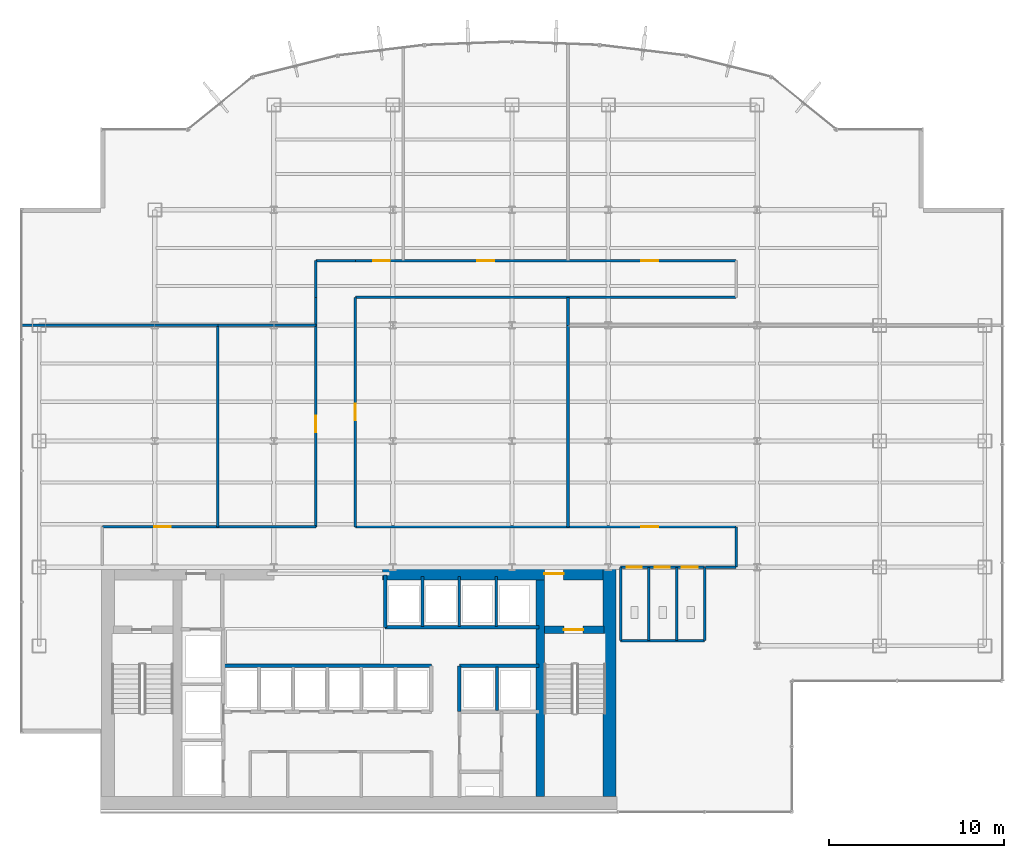
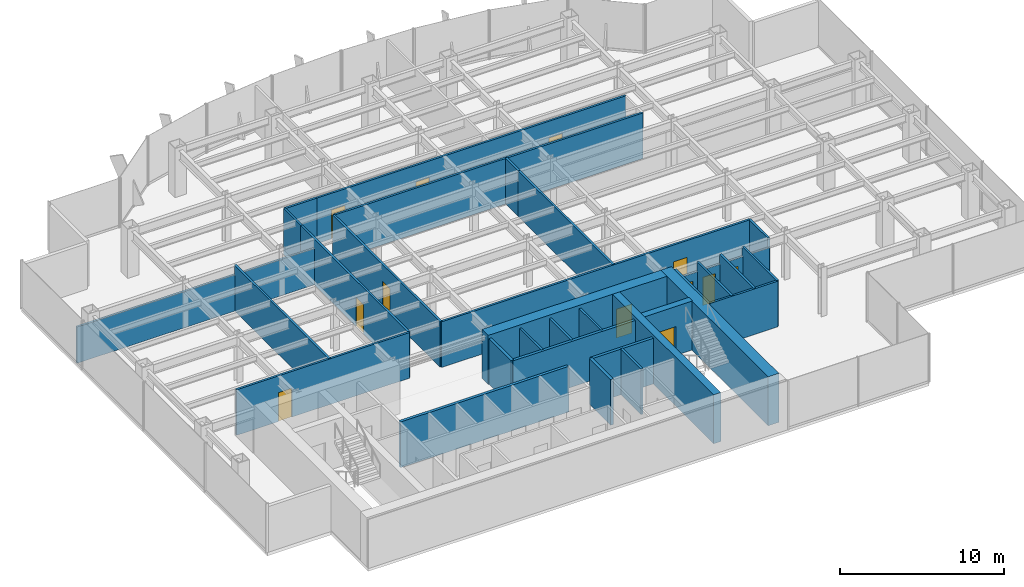
# One storey, part 22 of 26: 34 walls, 12 doors, 12 openings.
"""IFC4 building model written with IfcOpenShell, lengths in metres."""

from ifc_helpers import new_model, si_unit, derived_unit, direction, frame, frame_2d, origin, place, context, subcontext, project, spatial, rectangle, extrude, source, transform, mapped, material, layer, layer_set, type_object, element, fill, save


model = new_model("IFC4")

# Units and contexts
model_context = context("Model", 3, precision=1e-05, world=origin(), true_north=direction((0.0, 1.0)))
body_context = subcontext(model_context, "Body", "Model", "MODEL_VIEW")
ifc_project = project(units=[si_unit("LENGTHUNIT", "METRE"), si_unit("AREAUNIT", "SQUARE_METRE"), si_unit("VOLUMEUNIT", "CUBIC_METRE"), si_unit("PLANEANGLEUNIT", "RADIAN"), si_unit("MASSUNIT", "GRAM", prefix="KILO"), derived_unit("THERMALTRANSMITTANCEUNIT", [(si_unit("POWERUNIT", "WATT"), 1), (si_unit("LENGTHUNIT", "METRE"), -2), (si_unit("THERMODYNAMICTEMPERATUREUNIT", "KELVIN"), -1)])], contexts=[model_context])

# Site, building, storey
site_placement = place(None, origin())
site = spatial("IfcSite", under=ifc_project, at=site_placement, CompositionType="ELEMENT")
building_placement = place(site_placement, origin())
building = spatial("IfcBuilding", under=site, at=building_placement, Name="Skarnbrae Concourse Arena and Tower", CompositionType="ELEMENT")
storey_placement = place(building_placement, frame((0.0, 0.0, 128.800048828125)))
storey = spatial("IfcBuildingStorey", under=building, at=storey_placement, Name="L32", CompositionType="ELEMENT", Elevation=128.800048828125)

# Wall, opening, door
ifc_material_1 = material(Name="Concrete 50 MPa (C50/60)", Category="concrete")
ifc_layer_1 = layer(ifc_material_1, 0.449951171875)
ifc_layer_set_1 = layer_set([ifc_layer_1], Name="Concrete 50 MPa (C50/60)")
wall_type_1 = type_object("IfcWallType", Name="WALL-CORE-450-C50", PredefinedType="SHEAR", material=ifc_layer_set_1)
shared_shape_1 = source(origin(), body_context, "Body", "SweptSolid", [
    extrude(rectangle(XDim=3.389892578125, YDim=0.449951171875, at=frame_2d((1.69482421875, 0.0))), origin(), (0.0, 0.0, 1.0), 3.64990234375),
])
wall_1_placement = place(storey_placement, frame((29.860107421875, 10.419921875, 0.0), z_axis=(0.0, 0.0, 1.0), x_axis=(1.0, 0.0, 0.0)))
wall_1 = element("IfcWall", 1, at=wall_1_placement, inside=storey, type_object=wall_type_1, Name="L32 Rear core shear wall CW-ST2-N", PredefinedType="SHEAR", context=body_context, shape_type="MappedRepresentation", body=[
    mapped(shared_shape_1, transform((0.0, 0.0, 0.0))),
])
opening_1_placement = place(wall_1_placement, frame((1.10009765625, 0.0, 0.0)))
opening_1 = element("IfcOpeningElement", 2, at=opening_1_placement, cuts=wall_1, Name="Opening DT-03", PredefinedType="OPENING", context=body_context, shape_type="SweptSolid", body=[
    extrude(rectangle(XDim=1.10009765625, YDim=2.14990234375, at=frame_2d((0.550048828125, 1.074951171875))), frame((0.0, 0.23486328125, 0.0), z_axis=(0.0, -1.0, 0.0), x_axis=(1.0, 0.0, 0.0)), (0.0, 0.0, 1.0), 0.469970703125),
])
ifc_material_2 = material(Name="Steel CSA G40.21 350W", Category="steel")
door_type_1 = type_object("IfcDoorType", Name="DOOR-FIRE-1100-90M", OperationType="NOTDEFINED", PredefinedType="DOOR", material=ifc_material_2)
shared_shape_2 = source(origin(), body_context, "Body", "SweptSolid", [
    extrude(rectangle(XDim=1.10009765625, YDim=2.14990234375, at=frame_2d((0.550048828125, 1.074951171875))), frame((0.0, 0.02490234375, 0.0), z_axis=(0.0, -1.0, 0.0), x_axis=(1.0, 0.0, 0.0)), (0.0, 0.0, 1.0), 0.050048828125),
])
door_1_placement = place(opening_1_placement, frame((1.10009765625, 0.0, 0.0), z_axis=(0.0, 0.0, 1.0), x_axis=(-1.0, 0.0, 0.0)))
door_1 = element("IfcDoor", 3, at=door_1_placement, inside=storey, type_object=door_type_1, Name="D-1029 Stair ST-2 Door", OperationType="SINGLE_SWING_RIGHT", OverallHeight=2.14990234375, OverallWidth=1.10009765625, PredefinedType="DOOR", context=body_context, shape_type="MappedRepresentation", body=[
    mapped(shared_shape_2, transform((0.0, 0.0, 0.0))),
])
fill(opening_1, door_1)

# Wall
ifc_material_3 = material(Name="Concrete 60 MPa (C60/75)", Category="concrete")
ifc_layer_2 = layer(ifc_material_3, 0.75)
ifc_layer_set_2 = layer_set([ifc_layer_2], Name="Concrete 60 MPa (C60/75)")
wall_type_2 = type_object("IfcWallType", Name="WALL-CORE-750-C60", PredefinedType="SHEAR", material=ifc_layer_set_2)
shared_shape_3 = source(origin(), body_context, "Body", "SweptSolid", [
    extrude(rectangle(XDim=13.10009765625, YDim=0.75, at=frame_2d((6.550048828125, 0.0))), origin(), (0.0, 0.0, 1.0), 3.64990234375),
])
wall_2_placement = place(storey_placement, frame((33.574951171875, 0.89990234375, 0.0), z_axis=(0.0, 0.0, 1.0), x_axis=(0.0, 1.0, 0.0)))
element("IfcWall", 4, at=wall_2_placement, inside=storey, type_object=wall_type_2, Name="L32 Rear core shear wall CW-E", PredefinedType="SHEAR", context=body_context, shape_type="MappedRepresentation", body=[
    mapped(shared_shape_3, transform((0.0, 0.0, 0.0))),
])

# Wall, opening, door
shared_shape_4 = source(origin(), body_context, "Body", "SweptSolid", [
    extrude(rectangle(XDim=12.599853515625, YDim=0.75, at=frame_2d((6.2998046875, 0.0))), origin(), (0.0, 0.0, 1.0), 3.64990234375),
])
wall_3_placement = place(storey_placement, frame((20.60009765625, 13.625, 0.0), z_axis=(0.0, 0.0, 1.0), x_axis=(1.0, 0.0, 0.0)))
wall_3 = element("IfcWall", 5, at=wall_3_placement, inside=storey, type_object=wall_type_2, Name="L32 Rear core shear wall CW-NE", PredefinedType="SHEAR", context=body_context, shape_type="MappedRepresentation", body=[
    mapped(shared_shape_4, transform((0.0, 0.0, 0.0))),
])
opening_2_placement = place(wall_3_placement, frame((9.25, 0.0, 0.0)))
opening_2 = element("IfcOpeningElement", 6, at=opening_2_placement, cuts=wall_3, Name="Opening DT-03", PredefinedType="OPENING", context=body_context, shape_type="SweptSolid", body=[
    extrude(rectangle(XDim=1.10009765625, YDim=2.14990234375, at=frame_2d((0.550048828125, 1.074951171875))), frame((0.0, 0.385009765625, 0.0), z_axis=(0.0, -1.0, 0.0), x_axis=(1.0, 0.0, 0.0)), (0.0, 0.0, 1.0), 0.77001953125),
])
door_2_placement = place(opening_2_placement, origin())
door_2 = element("IfcDoor", 7, at=door_2_placement, inside=storey, type_object=door_type_1, Name="D-1031 Stair ST-2 Vestibule Door", OperationType="SINGLE_SWING_LEFT", OverallHeight=2.14990234375, OverallWidth=1.10009765625, PredefinedType="DOOR", context=body_context, shape_type="MappedRepresentation", body=[
    mapped(shared_shape_2, transform((0.0, 0.0, 0.0))),
])
fill(opening_2, door_2)

# Walls
ifc_layer_3 = layer(ifc_material_3, 0.5)
ifc_layer_set_3 = layer_set([ifc_layer_3], Name="Concrete 60 MPa (C60/75)")
wall_type_3 = type_object("IfcWallType", Name="WALL-CORE-500-C60", PredefinedType="SHEAR", material=ifc_layer_set_3)
shared_shape_5 = source(origin(), body_context, "Body", "SweptSolid", [
    extrude(rectangle(XDim=12.35009765625, YDim=0.5, at=frame_2d((6.175048828125, 0.0))), origin(), (0.0, 0.0, 1.0), 3.64990234375),
])
wall_4_placement = place(storey_placement, frame((29.610107421875, 0.89990234375, 0.0), z_axis=(0.0, 0.0, 1.0), x_axis=(0.0, 1.0, 0.0)))
element("IfcWall", 8, at=wall_4_placement, inside=storey, type_object=wall_type_3, Name="L32 Rear core shear wall CW-WEB-E", PredefinedType="SHEAR", context=body_context, shape_type="MappedRepresentation", body=[
    mapped(shared_shape_5, transform((0.0, 0.0, 0.0))),
])
ifc_material_4 = material(Name="Gypsum board on cold-formed steel studs", Category="steel")
ifc_layer_4 = layer(ifc_material_4, 0.199951171875)
ifc_layer_set_4 = layer_set([ifc_layer_4], Name="Gypsum board on cold-formed steel studs")
wall_type_4 = type_object("IfcWallType", Name="WALL-PART-200-2HR", PredefinedType="PARTITIONING", material=ifc_layer_set_4)
shared_shape_6 = source(origin(), body_context, "Body", "SweptSolid", [
    extrude(rectangle(XDim=11.849853515625, YDim=0.199951171875, at=frame_2d((5.9248046875, 0.0))), origin(), (0.0, 0.0, 1.0), 3.39990234375),
])
wall_5_placement = place(storey_placement, frame((11.550048828125, 8.35009765625, 0.0), z_axis=(0.0, 0.0, 1.0), x_axis=(1.0, 0.0, 0.0)))
element("IfcWall", 9, at=wall_5_placement, inside=storey, type_object=wall_type_4, Name="L32 Interior partition wall W-L32-B2-N", PredefinedType="PARTITIONING", context=body_context, shape_type="MappedRepresentation", body=[
    mapped(shared_shape_6, transform((0.0, 0.0, 0.0))),
])
shared_shape_7 = source(origin(), body_context, "Body", "SweptSolid", [
    extrude(rectangle(XDim=2.60009765625, YDim=0.199951171875, at=frame_2d((1.300048828125, 0.0))), origin(), (0.0, 0.0, 1.0), 3.39990234375),
])
wall_6_placement = place(storey_placement, frame((25.0, 5.75, 0.0), z_axis=(0.0, 0.0, 1.0), x_axis=(0.0, 1.0, 0.0)))
element("IfcWall", 10, at=wall_6_placement, inside=storey, type_object=wall_type_4, Name="L32 Interior partition wall W-L32-B3S-W", PredefinedType="PARTITIONING", context=body_context, shape_type="MappedRepresentation", body=[
    mapped(shared_shape_7, transform((0.0, 0.0, 0.0))),
])
ifc_layer_5 = layer(ifc_material_4, 0.14990234375)
ifc_layer_set_5 = layer_set([ifc_layer_5], Name="Gypsum board on cold-formed steel studs")
wall_type_5 = type_object("IfcWallType", Name="WALL-PART-150", PredefinedType="PARTITIONING", material=ifc_layer_set_5)
shared_shape_8 = source(origin(), body_context, "Body", "SweptSolid", [
    extrude(rectangle(XDim=2.5, YDim=0.14990234375, at=frame_2d((1.25, 0.0))), origin(), (0.0, 0.0, 1.0), 3.39990234375),
])
wall_7_placement = place(storey_placement, frame((27.139892578125, 5.800048828125, 0.0), z_axis=(0.0, 0.0, 1.0), x_axis=(0.0, 1.0, 0.0)))
element("IfcWall", 11, at=wall_7_placement, inside=storey, type_object=wall_type_5, Name="L32 Interior partition wall W-L32-B3S-P1", PredefinedType="PARTITIONING", context=body_context, shape_type="MappedRepresentation", body=[
    mapped(shared_shape_8, transform((0.0, 0.0, 0.0))),
])
shared_shape_9 = source(origin(), body_context, "Body", "SweptSolid", [
    extrude(rectangle(XDim=8.800048828125, YDim=0.199951171875, at=frame_2d((4.39990234375, 0.0))), origin(), (0.0, 0.0, 1.0), 3.39990234375),
])
wall_8_placement = place(storey_placement, frame((20.75, 10.550048828125, 0.0), z_axis=(0.0, 0.0, 1.0), x_axis=(1.0, 0.0, 0.0)))
element("IfcWall", 12, at=wall_8_placement, inside=storey, type_object=wall_type_4, Name="L32 Interior partition wall W-L32-B3N-S", PredefinedType="PARTITIONING", context=body_context, shape_type="MappedRepresentation", body=[
    mapped(shared_shape_9, transform((0.0, 0.0, 0.0))),
])
shared_shape_10 = source(origin(), body_context, "Body", "SweptSolid", [
    extrude(rectangle(XDim=3.0, YDim=0.199951171875, at=frame_2d((1.5, 0.0))), origin(), (0.0, 0.0, 1.0), 3.39990234375),
])
wall_9_placement = place(storey_placement, frame((20.75, 10.550048828125, 0.0), z_axis=(0.0, 0.0, 1.0), x_axis=(0.0, 1.0, 0.0)))
element("IfcWall", 13, at=wall_9_placement, inside=storey, type_object=wall_type_4, Name="L32 Interior partition wall W-L32-B3N-W", PredefinedType="PARTITIONING", context=body_context, shape_type="MappedRepresentation", body=[
    mapped(shared_shape_10, transform((0.0, 0.0, 0.0))),
])
shared_shape_11 = source(origin(), body_context, "Body", "SweptSolid", [
    extrude(rectangle(XDim=2.849853515625, YDim=0.14990234375, at=frame_2d((1.4248046875, 0.0))), origin(), (0.0, 0.0, 1.0), 3.39990234375),
])
for number, where, z_axis, x_axis, name in (
    (14, (22.889892578125, 10.60009765625, 0.0), (0.0, 0.0, 1.0), (0.0, 1.0, 0.0), "L32 Interior partition wall W-L32-B3N-P1"),
    (15, (24.989990234375, 10.60009765625, 0.0), (0.0, 0.0, 1.0), (0.0, 1.0, 0.0), "L32 Interior partition wall W-L32-B3N-P2"),
    (16, (27.090087890625, 10.60009765625, 0.0), (0.0, 0.0, 1.0), (0.0, 1.0, 0.0), "L32 Interior partition wall W-L32-B3N-P3"),
):
    element("IfcWall", number, at=place(storey_placement, frame(where, z_axis=z_axis, x_axis=x_axis)), inside=storey, type_object=wall_type_5, Name=name, PredefinedType="PARTITIONING", context=body_context, shape_type="MappedRepresentation", body=[
        mapped(shared_shape_11, transform((0.0, 0.0, 0.0))),
    ])
shared_shape_12 = source(origin(), body_context, "Body", "SweptSolid", [
    extrude(rectangle(XDim=4.550048828125, YDim=0.199951171875, at=frame_2d((2.27490234375, 0.0))), origin(), (0.0, 0.0, 1.0), 3.39990234375),
])
wall_10_placement = place(storey_placement, frame((25.0, 8.35009765625, 0.0), z_axis=(0.0, 0.0, 1.0), x_axis=(1.0, 0.0, 0.0)))
element("IfcWall", 17, at=wall_10_placement, inside=storey, type_object=wall_type_4, Name="L32 Interior partition wall W-L32-B3S-N", PredefinedType="PARTITIONING", context=body_context, shape_type="MappedRepresentation", body=[
    mapped(shared_shape_12, transform((0.0, 0.0, 0.0))),
])
shared_shape_13 = source(origin(), body_context, "Body", "SweptSolid", [
    extrude(rectangle(XDim=4.800048828125, YDim=0.14990234375, at=frame_2d((2.39990234375, 0.0))), origin(), (0.0, 0.0, 1.0), 3.39990234375),
])
wall_11_placement = place(storey_placement, frame((34.199951171875, 9.800048828125, 0.0), z_axis=(0.0, 0.0, 1.0), x_axis=(1.0, 0.0, 0.0)))
element("IfcWall", 18, at=wall_11_placement, inside=storey, type_object=wall_type_5, Name="L32 Interior partition wall W-L32-WC-S", PredefinedType="PARTITIONING", context=body_context, shape_type="MappedRepresentation", body=[
    mapped(shared_shape_13, transform((0.0, 0.0, 0.0))),
])
shared_shape_14 = source(origin(), body_context, "Body", "SweptSolid", [
    extrude(rectangle(XDim=4.179931640625, YDim=0.14990234375, at=frame_2d((2.08984375, 0.0))), origin(), (0.0, 0.0, 1.0), 3.39990234375),
])
for number, where, z_axis, x_axis, name in (
    (19, (39.0, 9.800048828125, 0.0), (0.0, 0.0, 1.0), (0.0, 1.0, 0.0), "L32 Interior partition wall W-L32-WC-E"),
    (20, (34.199951171875, 9.800048828125, 0.0), (0.0, 0.0, 1.0), (0.0, 1.0, 0.0), "L32 Interior partition wall W-L32-WC-W"),
    (21, (35.800048828125, 9.800048828125, 0.0), (0.0, 0.0, 1.0), (0.0, 1.0, 0.0), "L32 Interior partition wall W-L32-WC-D1"),
    (22, (37.39990234375, 9.800048828125, 0.0), (0.0, 0.0, 1.0), (0.0, 1.0, 0.0), "L32 Interior partition wall W-L32-WC-D2"),
):
    element("IfcWall", number, at=place(storey_placement, frame(where, z_axis=z_axis, x_axis=x_axis)), inside=storey, type_object=wall_type_5, Name=name, PredefinedType="PARTITIONING", context=body_context, shape_type="MappedRepresentation", body=[
        mapped(shared_shape_14, transform((0.0, 0.0, 0.0))),
    ])
ifc_layer_6 = layer(ifc_material_4, 0.14990234375)
ifc_layer_set_6 = layer_set([ifc_layer_6], Name="Gypsum board on cold-formed steel studs")
wall_type_6 = type_object("IfcWallType", Name="WALL-PART-150-1HR", PredefinedType="PARTITIONING", material=ifc_layer_set_6)
shared_shape_15 = source(origin(), body_context, "Body", "SweptSolid", [
    extrude(rectangle(XDim=2.25, YDim=0.14990234375, at=frame_2d((1.125, 0.0))), origin(), (0.0, 0.0, 1.0), 3.39990234375),
])
wall_12_placement = place(storey_placement, frame((16.800048828125, 31.5, 0.0), z_axis=(0.0, 0.0, 1.0), x_axis=(1.0, 0.0, 0.0)))
element("IfcWall", 23, at=wall_12_placement, inside=storey, type_object=wall_type_6, Name="L32 Interior partition wall W-L32-COR-05", PredefinedType="PARTITIONING", context=body_context, shape_type="MappedRepresentation", body=[
    mapped(shared_shape_15, transform((0.0, 0.0, 0.0))),
])

# Wall, openings, doors
shared_shape_16 = source(origin(), body_context, "Body", "SweptSolid", [
    extrude(rectangle(XDim=4.800048828125, YDim=0.14990234375, at=frame_2d((2.39990234375, 0.0))), origin(), (0.0, 0.0, 1.0), 2.701904296875),
])
wall_13_placement = place(storey_placement, frame((34.199951171875, 13.97998046875, 0.0), z_axis=(0.0, 0.0, 1.0), x_axis=(1.0, 0.0, 0.0)))
wall_13 = element("IfcWall", 24, at=wall_13_placement, inside=storey, type_object=wall_type_5, Name="L32 Interior partition wall W-L32-WC-N", PredefinedType="PARTITIONING", context=body_context, shape_type="MappedRepresentation", body=[
    mapped(shared_shape_16, transform((0.0, 0.0, 0.0))),
])
opening_3_placement = place(wall_13_placement, frame((0.35009765625, 0.0, 0.0)))
opening_3 = element("IfcOpeningElement", 25, at=opening_3_placement, cuts=wall_13, Name="Opening DT-06", PredefinedType="OPENING", context=body_context, shape_type="SweptSolid", body=[
    extrude(rectangle(XDim=0.85009765625, YDim=2.10009765625, at=frame_2d((0.425048828125, 1.050048828125))), frame((0.0, 0.0849609375, 0.0), z_axis=(0.0, -1.0, 0.0), x_axis=(1.0, 0.0, 0.0)), (0.0, 0.0, 1.0), 0.169921875),
])
opening_4_placement = place(wall_13_placement, frame((1.949951171875, 0.0, 0.0)))
opening_4 = element("IfcOpeningElement", 26, at=opening_4_placement, cuts=wall_13, Name="Opening DT-06", PredefinedType="OPENING", context=body_context, shape_type="SweptSolid", body=[
    extrude(rectangle(XDim=0.85009765625, YDim=2.10009765625, at=frame_2d((0.425048828125, 1.050048828125))), frame((0.0, 0.0849609375, 0.0), z_axis=(0.0, -1.0, 0.0), x_axis=(1.0, 0.0, 0.0)), (0.0, 0.0, 1.0), 0.169921875),
])
opening_5_placement = place(wall_13_placement, frame((3.5, 0.0, 0.0)))
opening_5 = element("IfcOpeningElement", 27, at=opening_5_placement, cuts=wall_13, Name="Opening DT-05", PredefinedType="OPENING", context=body_context, shape_type="SweptSolid", body=[
    extrude(rectangle(XDim=0.89990234375, YDim=2.10009765625, at=frame_2d((0.449951171875, 1.050048828125))), frame((0.0, 0.0849609375, 0.0), z_axis=(0.0, -1.0, 0.0), x_axis=(1.0, 0.0, 0.0)), (0.0, 0.0, 1.0), 0.169921875),
])
ifc_material_5 = material(Name="Architectural oak veneer timber leaf", Category="wood")
door_type_2 = type_object("IfcDoorType", Name="DOOR-INT-850", OperationType="NOTDEFINED", PredefinedType="DOOR", material=ifc_material_5)
shared_shape_17 = source(origin(), body_context, "Body", "SweptSolid", [
    extrude(rectangle(XDim=0.85009765625, YDim=2.10009765625, at=frame_2d((0.425048828125, 1.050048828125))), frame((0.0, 0.02490234375, 0.0), z_axis=(0.0, -1.0, 0.0), x_axis=(1.0, 0.0, 0.0)), (0.0, 0.0, 1.0), 0.050048828125),
])
door_3_placement = place(opening_3_placement, frame((0.85009765625, 0.0, 0.0), z_axis=(0.0, 0.0, 1.0), x_axis=(-1.0, 0.0, 0.0)))
door_3 = element("IfcDoor", 28, at=door_3_placement, inside=storey, type_object=door_type_2, Name="D-1046 Male Washroom Door", OperationType="SINGLE_SWING_LEFT", OverallHeight=2.10009765625, OverallWidth=0.85009765625, PredefinedType="DOOR", context=body_context, shape_type="MappedRepresentation", body=[
    mapped(shared_shape_17, transform((0.0, 0.0, 0.0))),
])
fill(opening_3, door_3)
door_4_placement = place(opening_4_placement, frame((0.85009765625, 0.0, 0.0), z_axis=(0.0, 0.0, 1.0), x_axis=(-1.0, 0.0, 0.0)))
door_4 = element("IfcDoor", 29, at=door_4_placement, inside=storey, type_object=door_type_2, Name="D-1047 Female Washroom Door", OperationType="SINGLE_SWING_RIGHT", OverallHeight=2.10009765625, OverallWidth=0.85009765625, PredefinedType="DOOR", context=body_context, shape_type="MappedRepresentation", body=[
    mapped(shared_shape_17, transform((0.0, 0.0, 0.0))),
])
fill(opening_4, door_4)
door_type_3 = type_object("IfcDoorType", Name="DOOR-INT-900", OperationType="NOTDEFINED", PredefinedType="DOOR", material=ifc_material_5)
shared_shape_18 = source(origin(), body_context, "Body", "SweptSolid", [
    extrude(rectangle(XDim=0.89990234375, YDim=2.10009765625, at=frame_2d((0.449951171875, 1.050048828125))), frame((0.0, 0.02490234375, 0.0), z_axis=(0.0, -1.0, 0.0), x_axis=(1.0, 0.0, 0.0)), (0.0, 0.0, 1.0), 0.050048828125),
])
door_5_placement = place(opening_5_placement, frame((0.89990234375, 0.0, 0.0), z_axis=(0.0, 0.0, 1.0), x_axis=(-1.0, 0.0, 0.0)))
door_5 = element("IfcDoor", 30, at=door_5_placement, inside=storey, type_object=door_type_3, Name="D-1048 Accessible WC Door", OperationType="SINGLE_SWING_LEFT", OverallHeight=2.10009765625, OverallWidth=0.89990234375, PredefinedType="DOOR", context=body_context, shape_type="MappedRepresentation", body=[
    mapped(shared_shape_18, transform((0.0, 0.0, 0.0))),
])
fill(opening_5, door_5)

# Wall, opening, door
shared_shape_19 = source(origin(), body_context, "Body", "SweptSolid", [
    extrude(rectangle(XDim=12.199951171875, YDim=0.14990234375, at=frame_2d((6.10009765625, 0.0))), origin(), (0.0, 0.0, 1.0), 3.39990234375),
])
wall_14_placement = place(storey_placement, frame((4.60009765625, 16.300048828125, 0.0), z_axis=(0.0, 0.0, 1.0), x_axis=(1.0, 0.0, 0.0)))
wall_14 = element("IfcWall", 31, at=wall_14_placement, inside=storey, type_object=wall_type_6, Name="L32 Interior partition wall W-L32-COR-02", PredefinedType="PARTITIONING", context=body_context, shape_type="MappedRepresentation", body=[
    mapped(shared_shape_19, transform((0.0, 0.0, 0.0))),
])
opening_6_placement = place(wall_14_placement, frame((2.955078125, 0.0, 0.0)))
opening_6 = element("IfcOpeningElement", 32, at=opening_6_placement, cuts=wall_14, Name="Opening DT-04", PredefinedType="OPENING", context=body_context, shape_type="SweptSolid", body=[
    extrude(rectangle(XDim=0.949951171875, YDim=2.14990234375, at=frame_2d((0.47509765625, 1.074951171875))), frame((0.0, 0.0849609375, 0.0), z_axis=(0.0, -1.0, 0.0), x_axis=(1.0, 0.0, 0.0)), (0.0, 0.0, 1.0), 0.169921875),
])
door_type_4 = type_object("IfcDoorType", Name="DOOR-INT-950-45M", OperationType="NOTDEFINED", PredefinedType="DOOR", material=ifc_material_2)
shared_shape_20 = source(origin(), body_context, "Body", "SweptSolid", [
    extrude(rectangle(XDim=0.949951171875, YDim=2.14990234375, at=frame_2d((0.47509765625, 1.074951171875))), frame((0.0, 0.02490234375, 0.0), z_axis=(0.0, -1.0, 0.0), x_axis=(1.0, 0.0, 0.0)), (0.0, 0.0, 1.0), 0.050048828125),
])
door_6_placement = place(opening_6_placement, origin())
door_6 = element("IfcDoor", 33, at=door_6_placement, inside=storey, type_object=door_type_4, Name="D-1049 L32 Suite Door 01", OperationType="SINGLE_SWING_LEFT", OverallHeight=2.14990234375, OverallWidth=0.949951171875, PredefinedType="DOOR", context=body_context, shape_type="MappedRepresentation", body=[
    mapped(shared_shape_20, transform((0.0, 0.0, 0.0))),
])
fill(opening_6, door_6)

shared_shape_21 = source(origin(), body_context, "Body", "SweptSolid", [
    extrude(rectangle(XDim=13.099853515625, YDim=0.14990234375, at=frame_2d((6.5498046875, 0.0))), origin(), (0.0, 0.0, 1.0), 3.39990234375),
])
wall_15_placement = place(storey_placement, frame((16.800048828125, 16.300048828125, 0.0), z_axis=(0.0, 0.0, 1.0), x_axis=(0.0, 1.0, 0.0)))
wall_15 = element("IfcWall", 34, at=wall_15_placement, inside=storey, type_object=wall_type_6, Name="L32 Interior partition wall W-L32-COR-03", PredefinedType="PARTITIONING", context=body_context, shape_type="MappedRepresentation", body=[
    mapped(shared_shape_21, transform((0.0, 0.0, 0.0))),
])
opening_7_placement = place(wall_15_placement, frame((5.405029296875, 0.0, 0.0)))
opening_7 = element("IfcOpeningElement", 35, at=opening_7_placement, cuts=wall_15, Name="Opening DT-04", PredefinedType="OPENING", context=body_context, shape_type="SweptSolid", body=[
    extrude(rectangle(XDim=0.949951171875, YDim=2.14990234375, at=frame_2d((0.47509765625, 1.074951171875))), frame((0.0, 0.0849609375, 0.0), z_axis=(0.0, -1.0, 0.0), x_axis=(1.0, 0.0, 0.0)), (0.0, 0.0, 1.0), 0.169921875),
])
door_7_placement = place(opening_7_placement, origin())
door_7 = element("IfcDoor", 36, at=door_7_placement, inside=storey, type_object=door_type_4, Name="D-1051 L32 Suite Door 03", OperationType="SINGLE_SWING_LEFT", OverallHeight=2.14990234375, OverallWidth=0.949951171875, PredefinedType="DOOR", context=body_context, shape_type="MappedRepresentation", body=[
    mapped(shared_shape_20, transform((0.0, 0.0, 0.0))),
])
fill(opening_7, door_7)

wall_16_placement = place(storey_placement, frame((19.050048828125, 29.39990234375, 0.0), z_axis=(0.0, 0.0, 1.0), x_axis=(0.0, -1.0, 0.0)))
wall_16 = element("IfcWall", 37, at=wall_16_placement, inside=storey, type_object=wall_type_6, Name="L32 Interior partition wall W-L32-COR-09", PredefinedType="PARTITIONING", context=body_context, shape_type="MappedRepresentation", body=[
    mapped(shared_shape_21, transform((0.0, 0.0, 0.0))),
])
opening_8_placement = place(wall_16_placement, frame((6.074951171875, 0.0, 0.0)))
opening_8 = element("IfcOpeningElement", 38, at=opening_8_placement, cuts=wall_16, Name="Opening DT-04", PredefinedType="OPENING", context=body_context, shape_type="SweptSolid", body=[
    extrude(rectangle(XDim=0.949951171875, YDim=2.14990234375, at=frame_2d((0.47509765625, 1.074951171875))), frame((0.0, 0.0849609375, 0.0), z_axis=(0.0, -1.0, 0.0), x_axis=(1.0, 0.0, 0.0)), (0.0, 0.0, 1.0), 0.169921875),
])
door_8_placement = place(opening_8_placement, origin())
door_8 = element("IfcDoor", 39, at=door_8_placement, inside=storey, type_object=door_type_4, Name="D-1052 L32 Suite Door 04", OperationType="SINGLE_SWING_RIGHT", OverallHeight=2.14990234375, OverallWidth=0.949951171875, PredefinedType="DOOR", context=body_context, shape_type="MappedRepresentation", body=[
    mapped(shared_shape_20, transform((0.0, 0.0, 0.0))),
])
fill(opening_8, door_8)

# Wall
shared_shape_22 = source(origin(), body_context, "Body", "SweptSolid", [
    extrude(rectangle(XDim=2.10009765625, YDim=0.14990234375, at=frame_2d((1.050048828125, 0.0))), origin(), (0.0, 0.0, 1.0), 3.39990234375),
])
wall_17_placement = place(storey_placement, frame((16.800048828125, 29.39990234375, 0.0), z_axis=(0.0, 0.0, 1.0), x_axis=(0.0, 1.0, 0.0)))
element("IfcWall", 40, at=wall_17_placement, inside=storey, type_object=wall_type_6, Name="L32 Interior partition wall W-L32-COR-04", PredefinedType="PARTITIONING", context=body_context, shape_type="MappedRepresentation", body=[
    mapped(shared_shape_22, transform((0.0, 0.0, 0.0))),
])

# Wall, openings, doors
shared_shape_23 = source(origin(), body_context, "Body", "SweptSolid", [
    extrude(rectangle(XDim=21.75, YDim=0.14990234375, at=frame_2d((10.875, 0.0))), origin(), (0.0, 0.0, 1.0), 3.39990234375),
])
wall_18_placement = place(storey_placement, frame((19.050048828125, 31.5, 0.0), z_axis=(0.0, 0.0, 1.0), x_axis=(1.0, 0.0, 0.0)))
wall_18 = element("IfcWall", 41, at=wall_18_placement, inside=storey, type_object=wall_type_6, Name="L32 Interior partition wall W-L32-COR-06", PredefinedType="PARTITIONING", context=body_context, shape_type="MappedRepresentation", body=[
    mapped(shared_shape_23, transform((0.0, 0.0, 0.0))),
])
opening_9_placement = place(wall_18_placement, frame((1.030029296875, 0.0, 0.0)))
opening_9 = element("IfcOpeningElement", 42, at=opening_9_placement, cuts=wall_18, Name="Opening DT-04", PredefinedType="OPENING", context=body_context, shape_type="SweptSolid", body=[
    extrude(rectangle(XDim=0.949951171875, YDim=2.14990234375, at=frame_2d((0.47509765625, 1.074951171875))), frame((0.0, 0.0849609375, 0.0), z_axis=(0.0, -1.0, 0.0), x_axis=(1.0, 0.0, 0.0)), (0.0, 0.0, 1.0), 0.169921875),
])
opening_10_placement = place(wall_18_placement, frame((6.97509765625, 0.0, 0.0)))
opening_10 = element("IfcOpeningElement", 43, at=opening_10_placement, cuts=wall_18, Name="Opening DT-04", PredefinedType="OPENING", context=body_context, shape_type="SweptSolid", body=[
    extrude(rectangle(XDim=0.949951171875, YDim=2.14990234375, at=frame_2d((0.47509765625, 1.074951171875))), frame((0.0, 0.0849609375, 0.0), z_axis=(0.0, -1.0, 0.0), x_axis=(1.0, 0.0, 0.0)), (0.0, 0.0, 1.0), 0.169921875),
])
opening_11_placement = place(wall_18_placement, frame((16.344970703125, 0.0, 0.0)))
opening_11 = element("IfcOpeningElement", 44, at=opening_11_placement, cuts=wall_18, Name="Opening DT-04", PredefinedType="OPENING", context=body_context, shape_type="SweptSolid", body=[
    extrude(rectangle(XDim=0.949951171875, YDim=2.14990234375, at=frame_2d((0.47509765625, 1.074951171875))), frame((0.0, 0.0849609375, 0.0), z_axis=(0.0, -1.0, 0.0), x_axis=(1.0, 0.0, 0.0)), (0.0, 0.0, 1.0), 0.169921875),
])
door_9_placement = place(opening_9_placement, origin())
door_9 = element("IfcDoor", 45, at=door_9_placement, inside=storey, type_object=door_type_4, Name="D-1050 L32 Suite Door 02", OperationType="SINGLE_SWING_RIGHT", OverallHeight=2.14990234375, OverallWidth=0.949951171875, PredefinedType="DOOR", context=body_context, shape_type="MappedRepresentation", body=[
    mapped(shared_shape_20, transform((0.0, 0.0, 0.0))),
])
fill(opening_9, door_9)
door_10_placement = place(opening_10_placement, origin())
door_10 = element("IfcDoor", 46, at=door_10_placement, inside=storey, type_object=door_type_4, Name="D-1053 L32 Suite Door 05", OperationType="SINGLE_SWING_LEFT", OverallHeight=2.14990234375, OverallWidth=0.949951171875, PredefinedType="DOOR", context=body_context, shape_type="MappedRepresentation", body=[
    mapped(shared_shape_20, transform((0.0, 0.0, 0.0))),
])
fill(opening_10, door_10)
door_11_placement = place(opening_11_placement, origin())
door_11 = element("IfcDoor", 47, at=door_11_placement, inside=storey, type_object=door_type_4, Name="D-1054 L32 Suite Door 06", OperationType="SINGLE_SWING_RIGHT", OverallHeight=2.14990234375, OverallWidth=0.949951171875, PredefinedType="DOOR", context=body_context, shape_type="MappedRepresentation", body=[
    mapped(shared_shape_20, transform((0.0, 0.0, 0.0))),
])
fill(opening_11, door_11)

# Wall
wall_19_placement = place(storey_placement, frame((40.800048828125, 29.39990234375, 0.0), z_axis=(0.0, 0.0, 1.0), x_axis=(-1.0, 0.0, 0.0)))
element("IfcWall", 48, at=wall_19_placement, inside=storey, type_object=wall_type_6, Name="L32 Interior partition wall W-L32-COR-08", PredefinedType="PARTITIONING", context=body_context, shape_type="MappedRepresentation", body=[
    mapped(shared_shape_23, transform((0.0, 0.0, 0.0))),
])

# Wall, opening, door
wall_20_placement = place(storey_placement, frame((19.050048828125, 16.300048828125, 0.0), z_axis=(0.0, 0.0, 1.0), x_axis=(1.0, 0.0, 0.0)))
wall_20 = element("IfcWall", 49, at=wall_20_placement, inside=storey, type_object=wall_type_6, Name="L32 Interior partition wall W-L32-COR-10", PredefinedType="PARTITIONING", context=body_context, shape_type="MappedRepresentation", body=[
    mapped(shared_shape_23, transform((0.0, 0.0, 0.0))),
])
opening_12_placement = place(wall_20_placement, frame((16.344970703125, 0.0, 0.0)))
opening_12 = element("IfcOpeningElement", 50, at=opening_12_placement, cuts=wall_20, Name="Opening DT-04", PredefinedType="OPENING", context=body_context, shape_type="SweptSolid", body=[
    extrude(rectangle(XDim=0.949951171875, YDim=2.14990234375, at=frame_2d((0.47509765625, 1.074951171875))), frame((0.0, 0.0849609375, 0.0), z_axis=(0.0, -1.0, 0.0), x_axis=(1.0, 0.0, 0.0)), (0.0, 0.0, 1.0), 0.169921875),
])
door_12_placement = place(opening_12_placement, origin())
door_12 = element("IfcDoor", 51, at=door_12_placement, inside=storey, type_object=door_type_4, Name="D-1055 L32 Suite Door 07", OperationType="SINGLE_SWING_LEFT", OverallHeight=2.14990234375, OverallWidth=0.949951171875, PredefinedType="DOOR", context=body_context, shape_type="MappedRepresentation", body=[
    mapped(shared_shape_20, transform((0.0, 0.0, 0.0))),
])
fill(opening_12, door_12)

# Walls
shared_shape_24 = source(origin(), body_context, "Body", "SweptSolid", [
    extrude(rectangle(XDim=2.300048828125, YDim=0.14990234375, at=frame_2d((1.14990234375, 0.0))), origin(), (0.0, 0.0, 1.0), 3.39990234375),
])
wall_21_placement = place(storey_placement, frame((40.800048828125, 16.300048828125, 0.0), z_axis=(0.0, 0.0, 1.0), x_axis=(0.0, -1.0, 0.0)))
element("IfcWall", 52, at=wall_21_placement, inside=storey, type_object=wall_type_6, Name="L32 Interior partition wall W-L32-COR-11", PredefinedType="PARTITIONING", context=body_context, shape_type="MappedRepresentation", body=[
    mapped(shared_shape_24, transform((0.0, 0.0, 0.0))),
])
shared_shape_25 = source(origin(), body_context, "Body", "SweptSolid", [
    extrude(rectangle(XDim=1.75, YDim=0.14990234375, at=frame_2d((0.875, 0.0))), origin(), (0.0, 0.0, 1.0), 2.701904296875),
])
wall_22_placement = place(storey_placement, frame((40.800048828125, 14.0, 0.0), z_axis=(0.0, 0.0, 1.0), x_axis=(-1.0, 0.0, 0.0)))
element("IfcWall", 53, at=wall_22_placement, inside=storey, type_object=wall_type_6, Name="L32 Interior partition wall W-L32-COR-12", PredefinedType="PARTITIONING", context=body_context, shape_type="MappedRepresentation", body=[
    mapped(shared_shape_25, transform((0.0, 0.0, 0.0))),
])
shared_shape_26 = source(origin(), body_context, "Body", "SweptSolid", [
    extrude(rectangle(XDim=11.179931640625, YDim=0.14990234375, at=frame_2d((5.58984375, 0.0))), origin(), (0.0, 0.0, 1.0), 2.701904296875),
])
wall_23_placement = place(storey_placement, frame((0.02001953125, 27.800048828125, 0.0), z_axis=(0.0, 0.0, 1.0), x_axis=(1.0, 0.0, 0.0)))
element("IfcWall", 54, at=wall_23_placement, inside=storey, type_object=wall_type_5, Name="L32 Interior partition wall W-L32-DEM-13", PredefinedType="PARTITIONING", context=body_context, shape_type="MappedRepresentation", body=[
    mapped(shared_shape_26, transform((0.0, 0.0, 0.0))),
])
shared_shape_27 = source(origin(), body_context, "Body", "SweptSolid", [
    extrude(rectangle(XDim=11.5, YDim=0.14990234375, at=frame_2d((5.75, 0.0))), origin(), (0.0, 0.0, 1.0), 3.39990234375),
])
for number, where, z_axis, x_axis, name in (
    (55, (11.199951171875, 27.800048828125, 0.0), (0.0, 0.0, 1.0), (0.0, -1.0, 0.0), "L32 Interior partition wall W-L32-DEM-14"),
    (56, (31.199951171875, 27.800048828125, 0.0), (0.0, 0.0, 1.0), (0.0, -1.0, 0.0), "L32 Interior partition wall W-L32-DEM-17"),
):
    element("IfcWall", number, at=place(storey_placement, frame(where, z_axis=z_axis, x_axis=x_axis)), inside=storey, type_object=wall_type_5, Name=name, PredefinedType="PARTITIONING", context=body_context, shape_type="MappedRepresentation", body=[
        mapped(shared_shape_27, transform((0.0, 0.0, 0.0))),
    ])
shared_shape_28 = source(origin(), body_context, "Body", "SweptSolid", [
    extrude(rectangle(XDim=5.60009765625, YDim=0.14990234375, at=frame_2d((2.800048828125, 0.0))), origin(), (0.0, 0.0, 1.0), 2.701904296875),
])
wall_24_placement = place(storey_placement, frame((16.800048828125, 27.800048828125, 0.0), z_axis=(0.0, 0.0, 1.0), x_axis=(-1.0, 0.0, 0.0)))
element("IfcWall", 57, at=wall_24_placement, inside=storey, type_object=wall_type_5, Name="L32 Interior partition wall W-L32-DEM-15", PredefinedType="PARTITIONING", context=body_context, shape_type="MappedRepresentation", body=[
    mapped(shared_shape_28, transform((0.0, 0.0, 0.0))),
])
shared_shape_29 = source(origin(), body_context, "Body", "SweptSolid", [
    extrude(rectangle(XDim=1.599853515625, YDim=0.14990234375, at=frame_2d((0.7998046875, 0.0))), origin(), (0.0, 0.0, 1.0), 3.39990234375),
])
wall_25_placement = place(storey_placement, frame((31.199951171875, 29.39990234375, 0.0), z_axis=(0.0, 0.0, 1.0), x_axis=(0.0, -1.0, 0.0)))
element("IfcWall", 58, at=wall_25_placement, inside=storey, type_object=wall_type_5, Name="L32 Interior partition wall W-L32-DEM-21", PredefinedType="PARTITIONING", context=body_context, shape_type="MappedRepresentation", body=[
    mapped(shared_shape_29, transform((0.0, 0.0, 0.0))),
])

save(model, "model.ifc")
